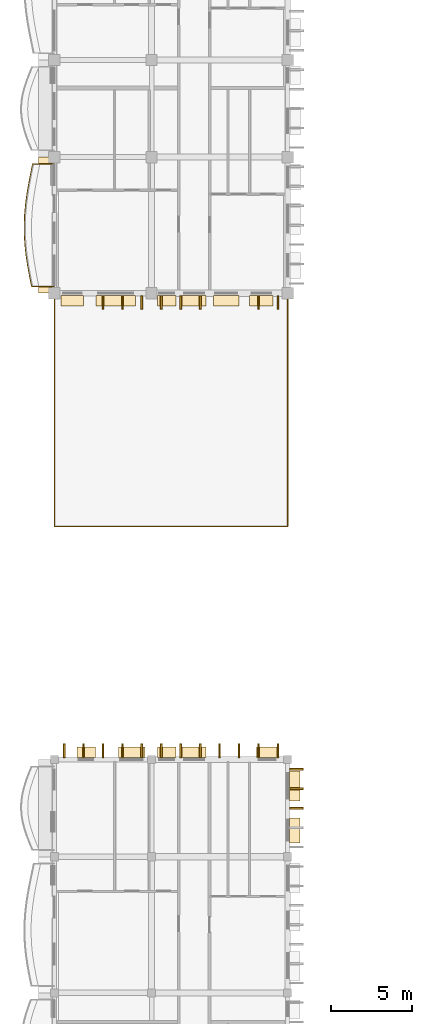
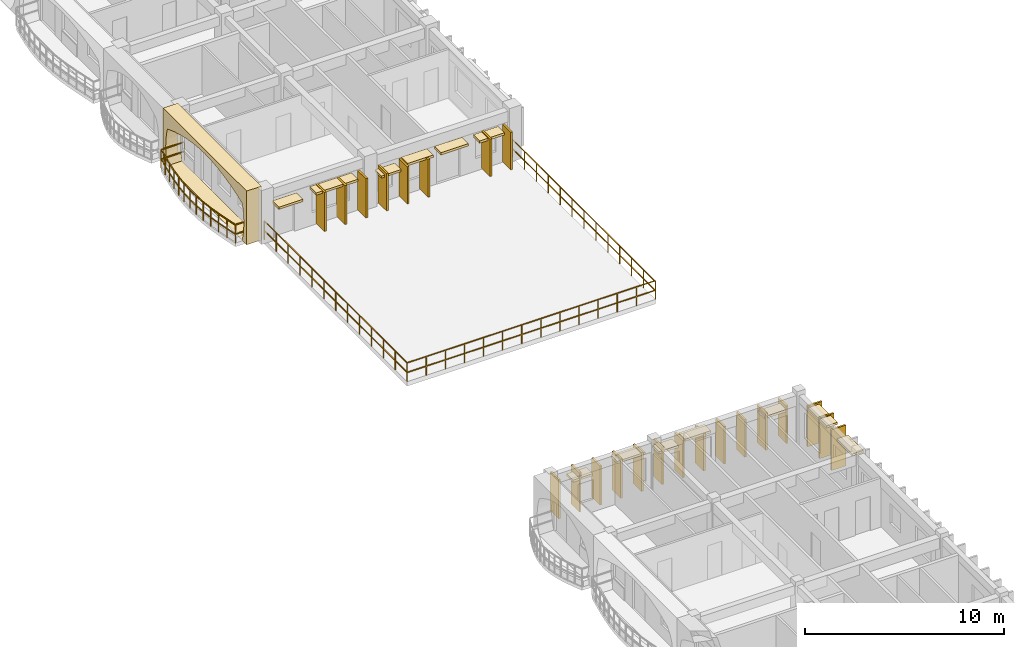
# One storey, part 46 of 66: 37 coverings, 4 railings.
"""IFC4 building model written with IfcOpenShell, lengths in metres."""

from ifc_helpers import new_model, si_unit, direction, frame, origin, origin_2d, place, context, subcontext, project, spatial, polyline, rectangle, outline, extrude, material, layer, layer_set, type_object, element, save


model = new_model("IFC4")

# Units and contexts
model_context = context("Model", 3, precision=1e-05, world=origin(), true_north=direction((0.0, 1.0)))
body_context = subcontext(model_context, "Body", "Model", "MODEL_VIEW")
ifc_project = project(units=[si_unit("LENGTHUNIT", "METRE"), si_unit("AREAUNIT", "SQUARE_METRE"), si_unit("VOLUMEUNIT", "CUBIC_METRE"), si_unit("PLANEANGLEUNIT", "RADIAN"), si_unit("MASSUNIT", "GRAM", prefix="KILO"), si_unit("THERMODYNAMICTEMPERATUREUNIT", "KELVIN")], contexts=[model_context])

# Site, building, storey
site_placement = place(None, origin())
site = spatial("IfcSite", under=ifc_project, at=site_placement, CompositionType="ELEMENT")
building_placement = place(site_placement, origin())
building = spatial("IfcBuilding", under=site, at=building_placement, Name="Thalorik Housing Commons", CompositionType="ELEMENT")
storey_placement = place(building_placement, frame((0.0, 0.0, 21.300048828125)))
storey = spatial("IfcBuildingStorey", under=building, at=storey_placement, Name="L06", CompositionType="ELEMENT", Elevation=21.300048828125)

# Coverings
ifc_material_1 = material(Name="Precast concrete C40/50", Category="concrete")
ifc_layer_1 = layer(ifc_material_1, 0.85009765625, Name="Precast concrete C40/50", Category="concrete")
ifc_layer_set_1 = layer_set([ifc_layer_1], Name="Precast concrete C40/50")
covering_type_1 = type_object("IfcCoveringType", Name="ARC-CLD-CUSH-850", PredefinedType="CLADDING", material=ifc_layer_set_1)
covering_1_placement = place(storey_placement, frame((7.830078125, 90.60009765625, 0.0), z_axis=(0.0, 0.0, 1.0), x_axis=(0.0, -1.0, 0.0)))
element("IfcCovering", 1, at=covering_1_placement, inside=storey, type_object=covering_type_1, Name="L06 White Precast Curved Cushion Bay Frame 685", PredefinedType="CLADDING", context=body_context, shape_type="SweptSolid", body=[
    extrude(outline(polyline([(-4.199951171875, 0.0), (4.199951171875, 0.0), (4.199951171875, 3.300048828125), (-4.199951171875, 3.300048828125), (-4.199951171875, 0.0)]), holes=[polyline([(3.748779296875, 0.02490234375), (3.843994140625, 0.40087890625), (3.901123046875, 0.776611328125), (3.920166015625, 1.152587890625), (3.901123046875, 1.5283203125), (3.843994140625, 1.904296875), (3.748779296875, 2.280029296875), (3.122802734375, 2.51123046875), (2.496826171875, 2.693115234375), (1.870849609375, 2.840087890625), (1.2451171875, 2.94970703125), (0.618896484375, 3.01708984375), (-0.0068359375, 3.0400390625), (-0.6328125, 3.01708984375), (-1.2587890625, 2.94970703125), (-1.884765625, 2.840087890625), (-2.510498046875, 2.693115234375), (-3.13671875, 2.51123046875), (-3.762451171875, 2.280029296875), (-3.85498046875, 1.904296875), (-3.910400390625, 1.5283203125), (-3.9287109375, 1.152587890625), (-3.910400390625, 0.776611328125), (-3.85498046875, 0.40087890625), (-3.762451171875, 0.02490234375), (3.748779296875, 0.02490234375)])]), frame((0.0, 0.425048828125, 0.0), z_axis=(0.0, -1.0, 0.0), x_axis=(1.0, 0.0, 0.0)), (0.0, 0.0, 1.0), 0.85009765625),
])
ifc_layer_2 = layer(ifc_material_1, 0.85009765625, Name="Precast concrete C40/50", Category="concrete")
ifc_layer_set_2 = layer_set([ifc_layer_2], Name="Precast concrete C40/50")
covering_type_2 = type_object("IfcCoveringType", Name="ARC-CLD-FIN-850", PredefinedType="CLADDING", material=ifc_layer_set_2)
for number, where, z_axis, x_axis, name in (
    (2, (11.39990234375, 85.830078125, 0.0400390625), (0.0, 0.0, 1.0), (1.0, 0.0, 0.0), "L06 Courtyard Precast Vertical Brise-Soleil Fin 687"),
    (3, (12.60009765625, 85.830078125, 0.0400390625), (0.0, 0.0, 1.0), (1.0, 0.0, 0.0), "L06 Courtyard Precast Vertical Brise-Soleil Fin 688"),
    (4, (13.800048828125, 85.830078125, 0.0400390625), (0.0, 0.0, 1.0), (1.0, 0.0, 0.0), "L06 Courtyard Precast Vertical Brise-Soleil Fin 689"),
):
    element("IfcCovering", number, at=place(storey_placement, frame(where, z_axis=z_axis, x_axis=x_axis)), inside=storey, type_object=covering_type_2, Name=name, PredefinedType="CLADDING", context=body_context, shape_type="SweptSolid", body=[
        extrude(rectangle(XDim=0.110107421875, YDim=0.85009765625, at=origin_2d()), origin(), (0.0, 0.0, 1.0), 2.39501953125),
    ])
for number, where, z_axis, x_axis, name in (
    (5, (15.0, 85.830078125, 0.0400390625), (0.0, 0.0, 1.0), (1.0, 0.0, 0.0), "L06 Courtyard Precast Vertical Brise-Soleil Fin 692"),
    (6, (16.199951171875, 85.830078125, 0.0400390625), (0.0, 0.0, 1.0), (1.0, 0.0, 0.0), "L06 Courtyard Precast Vertical Brise-Soleil Fin 693"),
    (7, (17.39990234375, 85.830078125, 0.0400390625), (0.0, 0.0, 1.0), (1.0, 0.0, 0.0), "L06 Courtyard Precast Vertical Brise-Soleil Fin 694"),
    (8, (21.0, 85.830078125, 0.0400390625), (0.0, 0.0, 1.0), (1.0, 0.0, 0.0), "L06 Courtyard Precast Vertical Brise-Soleil Fin 695"),
    (9, (22.199951171875, 85.830078125, 0.0400390625), (0.0, 0.0, 1.0), (1.0, 0.0, 0.0), "L06 Courtyard Precast Vertical Brise-Soleil Fin 696"),
):
    element("IfcCovering", number, at=place(storey_placement, frame(where, z_axis=z_axis, x_axis=x_axis)), inside=storey, type_object=covering_type_2, Name=name, PredefinedType="CLADDING", context=body_context, shape_type="SweptSolid", body=[
        extrude(rectangle(XDim=0.110107421875, YDim=0.85009765625, at=origin_2d()), origin(), (0.0, 0.0, 1.0), 2.294921875),
    ])
for number, where, z_axis, x_axis, name in (
    (10, (23.35498046875, 54.60009765625, 0.039794921875), (0.0, 0.0, 1.0), (0.0, 1.0, 0.0), "L06 Courtyard Precast Vertical Brise-Soleil Fin 4053"),
    (11, (23.35498046875, 55.800048828125, 0.039794921875), (0.0, 0.0, 1.0), (0.0, 1.0, 0.0), "L06 Courtyard Precast Vertical Brise-Soleil Fin 4054"),
    (12, (23.35498046875, 57.0, 0.039794921875), (0.0, 0.0, 1.0), (0.0, 1.0, 0.0), "L06 Courtyard Precast Vertical Brise-Soleil Fin 4055"),
):
    element("IfcCovering", number, at=place(storey_placement, frame(where, z_axis=z_axis, x_axis=x_axis)), inside=storey, type_object=covering_type_2, Name=name, PredefinedType="CLADDING", context=body_context, shape_type="SweptSolid", body=[
        extrude(rectangle(XDim=0.110107421875, YDim=0.85009765625, at=origin_2d()), origin(), (0.0, 0.0, 1.0), 2.4951171875),
    ])
for number, where, z_axis, x_axis, name in (
    (13, (22.199951171875, 58.155029296875, 0.0400390625), (0.0, 0.0, 1.0), (-1.0, 0.0, 0.0), "L06 Courtyard Precast Vertical Brise-Soleil Fin 4058"),
    (14, (21.0, 58.155029296875, 0.0400390625), (0.0, 0.0, 1.0), (-1.0, 0.0, 0.0), "L06 Courtyard Precast Vertical Brise-Soleil Fin 4059"),
    (15, (19.800048828125, 58.155029296875, 0.0400390625), (0.0, 0.0, 1.0), (-1.0, 0.0, 0.0), "L06 Courtyard Precast Vertical Brise-Soleil Fin 4060"),
    (16, (18.60009765625, 58.155029296875, 0.0400390625), (0.0, 0.0, 1.0), (-1.0, 0.0, 0.0), "L06 Courtyard Precast Vertical Brise-Soleil Fin 4061"),
    (17, (17.39990234375, 58.155029296875, 0.0400390625), (0.0, 0.0, 1.0), (-1.0, 0.0, 0.0), "L06 Courtyard Precast Vertical Brise-Soleil Fin 4062"),
    (18, (16.199951171875, 58.155029296875, 0.0400390625), (0.0, 0.0, 1.0), (-1.0, 0.0, 0.0), "L06 Courtyard Precast Vertical Brise-Soleil Fin 4063"),
    (19, (15.0, 58.155029296875, 0.0400390625), (0.0, 0.0, 1.0), (-1.0, 0.0, 0.0), "L06 Courtyard Precast Vertical Brise-Soleil Fin 4064"),
):
    element("IfcCovering", number, at=place(storey_placement, frame(where, z_axis=z_axis, x_axis=x_axis)), inside=storey, type_object=covering_type_2, Name=name, PredefinedType="CLADDING", context=body_context, shape_type="SweptSolid", body=[
        extrude(rectangle(XDim=0.110107421875, YDim=0.85009765625, at=origin_2d()), origin(), (0.0, 0.0, 1.0), 2.294921875),
    ])
for number, where, z_axis, x_axis, name in (
    (20, (13.800048828125, 58.155029296875, 0.0400390625), (0.0, 0.0, 1.0), (-1.0, 0.0, 0.0), "L06 Courtyard Precast Vertical Brise-Soleil Fin 4068"),
    (21, (12.60009765625, 58.155029296875, 0.0400390625), (0.0, 0.0, 1.0), (-1.0, 0.0, 0.0), "L06 Courtyard Precast Vertical Brise-Soleil Fin 4069"),
    (22, (11.39990234375, 58.155029296875, 0.0400390625), (0.0, 0.0, 1.0), (-1.0, 0.0, 0.0), "L06 Courtyard Precast Vertical Brise-Soleil Fin 4070"),
    (23, (10.199951171875, 58.155029296875, 0.0400390625), (0.0, 0.0, 1.0), (-1.0, 0.0, 0.0), "L06 Courtyard Precast Vertical Brise-Soleil Fin 4071"),
    (24, (9.0, 58.155029296875, 0.0400390625), (0.0, 0.0, 1.0), (-1.0, 0.0, 0.0), "L06 Courtyard Precast Vertical Brise-Soleil Fin 4072"),
):
    element("IfcCovering", number, at=place(storey_placement, frame(where, z_axis=z_axis, x_axis=x_axis)), inside=storey, type_object=covering_type_2, Name=name, PredefinedType="CLADDING", context=body_context, shape_type="SweptSolid", body=[
        extrude(rectangle(XDim=0.110107421875, YDim=0.85009765625, at=origin_2d()), origin(), (0.0, 0.0, 1.0), 2.39501953125),
    ])
ifc_layer_3 = layer(ifc_material_1, 0.64990234375, Name="Precast concrete C40/50", Category="concrete")
ifc_layer_set_3 = layer_set([ifc_layer_3], Name="Precast concrete C40/50")
covering_type_3 = type_object("IfcCoveringType", Name="ARC-CLD-HOOD-650", PredefinedType="CLADDING", material=ifc_layer_set_3)
covering_2_placement = place(storey_placement, frame((9.514892578125, 85.929931640625, 2.16015625), z_axis=(0.0, 0.0, 1.0), x_axis=(1.0, 0.0, 0.0)))
element("IfcCovering", 25, at=covering_2_placement, inside=storey, type_object=covering_type_3, Name="L06 Courtyard Precast Window Sun-Hood 690", PredefinedType="CLADDING", context=body_context, shape_type="SweptSolid", body=[
    extrude(rectangle(XDim=1.389892578125, YDim=0.64990234375, at=origin_2d()), origin(), (0.0, 0.0, 1.0), 0.139892578125),
])
covering_3_placement = place(storey_placement, frame((12.18505859375, 85.929931640625, 2.27001953125), z_axis=(0.0, 0.0, 1.0), x_axis=(1.0, 0.0, 0.0)))
element("IfcCovering", 26, at=covering_3_placement, inside=storey, type_object=covering_type_3, Name="L06 Courtyard Precast Window Sun-Hood 691", PredefinedType="CLADDING", context=body_context, shape_type="SweptSolid", body=[
    extrude(rectangle(XDim=2.419921875, YDim=0.64990234375, at=origin_2d()), origin(), (0.0, 0.0, 1.0), 0.139892578125),
])
covering_4_placement = place(storey_placement, frame((19.0048828125, 85.929931640625, 2.2099609375), z_axis=(0.0, 0.0, 1.0), x_axis=(1.0, 0.0, 0.0)))
element("IfcCovering", 27, at=covering_4_placement, inside=storey, type_object=covering_type_3, Name="L06 Courtyard Precast Window Sun-Hood 697", PredefinedType="CLADDING", context=body_context, shape_type="SweptSolid", body=[
    extrude(rectangle(XDim=1.590087890625, YDim=0.64990234375, at=origin_2d()), origin(), (0.0, 0.0, 1.0), 0.139892578125),
])
covering_5_placement = place(storey_placement, frame((21.179931640625, 85.929931640625, 2.14013671875), z_axis=(0.0, 0.0, 1.0), x_axis=(1.0, 0.0, 0.0)))
element("IfcCovering", 28, at=covering_5_placement, inside=storey, type_object=covering_type_3, Name="L06 Courtyard Precast Window Sun-Hood 698", PredefinedType="CLADDING", context=body_context, shape_type="SweptSolid", body=[
    extrude(rectangle(XDim=1.43994140625, YDim=0.64990234375, at=origin_2d()), origin(), (0.0, 0.0, 1.0), 0.139892578125),
])
covering_6_placement = place(storey_placement, frame((15.3349609375, 85.929931640625, 1.990234375), z_axis=(0.0, 0.0, 1.0), x_axis=(1.0, 0.0, 0.0)))
element("IfcCovering", 29, at=covering_6_placement, inside=storey, type_object=covering_type_3, Name="L06 Courtyard Precast Window Sun-Hood 699", PredefinedType="CLADDING", context=body_context, shape_type="SweptSolid", body=[
    extrude(rectangle(XDim=1.139892578125, YDim=0.64990234375, at=origin_2d()), origin(), (0.0, 0.0, 1.0), 0.139892578125),
])
covering_7_placement = place(storey_placement, frame((17.030029296875, 85.929931640625, 2.22509765625), z_axis=(0.0, 0.0, 1.0), x_axis=(1.0, 0.0, 0.0)))
element("IfcCovering", 30, at=covering_7_placement, inside=storey, type_object=covering_type_3, Name="L06 Courtyard Precast Window Sun-Hood 700", PredefinedType="CLADDING", context=body_context, shape_type="SweptSolid", body=[
    extrude(rectangle(XDim=1.489990234375, YDim=0.64990234375, at=origin_2d()), origin(), (0.0, 0.0, 1.0), 0.139892578125),
])
covering_8_placement = place(storey_placement, frame((23.2548828125, 53.22998046875, 2.18994140625), z_axis=(0.0, 0.0, 1.0), x_axis=(0.0, 1.0, 0.0)))
element("IfcCovering", 31, at=covering_8_placement, inside=storey, type_object=covering_type_3, Name="L06 Courtyard Precast Window Sun-Hood 4056", PredefinedType="CLADDING", context=body_context, shape_type="SweptSolid", body=[
    extrude(rectangle(XDim=1.5400390625, YDim=0.64990234375, at=origin_2d()), origin(), (0.0, 0.0, 1.0), 0.139892578125),
])
covering_9_placement = place(storey_placement, frame((23.2548828125, 55.969970703125, 2.33984375), z_axis=(0.0, 0.0, 1.0), x_axis=(0.0, 1.0, 0.0)))
element("IfcCovering", 32, at=covering_9_placement, inside=storey, type_object=covering_type_3, Name="L06 Courtyard Precast Window Sun-Hood 4057", PredefinedType="CLADDING", context=body_context, shape_type="SweptSolid", body=[
    extrude(rectangle(XDim=1.840087890625, YDim=0.64990234375, at=origin_2d()), origin(), (0.0, 0.0, 1.0), 0.139892578125),
])
covering_10_placement = place(storey_placement, frame((21.53271484375, 58.054931640625, 1.990234375), z_axis=(0.0, 0.0, 1.0), x_axis=(-1.0, 0.0, 0.0)))
element("IfcCovering", 33, at=covering_10_placement, inside=storey, type_object=covering_type_3, Name="L06 Courtyard Precast Window Sun-Hood 4065", PredefinedType="CLADDING", context=body_context, shape_type="SweptSolid", body=[
    extrude(rectangle(XDim=1.2900390625, YDim=0.64990234375, at=origin_2d()), origin(), (0.0, 0.0, 1.0), 0.139892578125),
])
covering_11_placement = place(storey_placement, frame((17.030029296875, 58.054931640625, 2.22509765625), z_axis=(0.0, 0.0, 1.0), x_axis=(-1.0, 0.0, 0.0)))
element("IfcCovering", 34, at=covering_11_placement, inside=storey, type_object=covering_type_3, Name="L06 Courtyard Precast Window Sun-Hood 4066", PredefinedType="CLADDING", context=body_context, shape_type="SweptSolid", body=[
    extrude(rectangle(XDim=1.489990234375, YDim=0.64990234375, at=origin_2d()), origin(), (0.0, 0.0, 1.0), 0.139892578125),
])
covering_12_placement = place(storey_placement, frame((15.3349609375, 58.054931640625, 1.990234375), z_axis=(0.0, 0.0, 1.0), x_axis=(-1.0, 0.0, 0.0)))
element("IfcCovering", 35, at=covering_12_placement, inside=storey, type_object=covering_type_3, Name="L06 Courtyard Precast Window Sun-Hood 4067", PredefinedType="CLADDING", context=body_context, shape_type="SweptSolid", body=[
    extrude(rectangle(XDim=1.139892578125, YDim=0.64990234375, at=origin_2d()), origin(), (0.0, 0.0, 1.0), 0.139892578125),
])
covering_13_placement = place(storey_placement, frame((13.163818359375, 58.054931640625, 2.240234375), z_axis=(0.0, 0.0, 1.0), x_axis=(-1.0, 0.0, 0.0)))
element("IfcCovering", 36, at=covering_13_placement, inside=storey, type_object=covering_type_3, Name="L06 Courtyard Precast Window Sun-Hood 4073", PredefinedType="CLADDING", context=body_context, shape_type="SweptSolid", body=[
    extrude(rectangle(XDim=1.639892578125, YDim=0.64990234375, at=origin_2d()), origin(), (0.0, 0.0, 1.0), 0.139892578125),
])
covering_14_placement = place(storey_placement, frame((10.353759765625, 58.054931640625, 1.990234375), z_axis=(0.0, 0.0, 1.0), x_axis=(-1.0, 0.0, 0.0)))
element("IfcCovering", 37, at=covering_14_placement, inside=storey, type_object=covering_type_3, Name="L06 Courtyard Precast Window Sun-Hood 4074", PredefinedType="CLADDING", context=body_context, shape_type="SweptSolid", body=[
    extrude(rectangle(XDim=1.139892578125, YDim=0.64990234375, at=origin_2d()), origin(), (0.0, 0.0, 1.0), 0.139892578125),
])

# Railings
ifc_material_2 = material(Name="Steel S355", Category="steel")
railing_type_1 = type_object("IfcRailingType", Name="ARC-RL-BAL-115", PredefinedType="BALUSTRADE", material=ifc_material_2)
railing_1_placement = place(storey_placement, frame((8.39990234375, 94.3798828125, 0.0)))
element("IfcRailing", 38, at=railing_1_placement, inside=storey, type_object=railing_type_1, Name="L06 Cushion Balcony Guardrail 45", PredefinedType="BALUSTRADE", context=body_context, shape_type="SweptSolid", body=[
    extrude(rectangle(XDim=0.050048828125, YDim=0.050048828125, at=origin_2d()), frame((0.0, 0.0, 1.125), z_axis=(-1.0, 0.0, 0.0), x_axis=(0.0, -1.0, 0.0)), (0.0, 0.0, 1.0), 1.34716796875),
    extrude(rectangle(XDim=0.050048828125, YDim=0.050048828125, at=origin_2d()), frame((0.0, 0.0, 0.5498046875), z_axis=(-1.0, 0.0, 0.0), x_axis=(0.0, -1.0, 0.0)), (0.0, 0.0, 1.0), 1.34716796875),
    extrude(rectangle(XDim=0.050048828125, YDim=0.050048828125, at=origin_2d()), frame((-1.34716796875, 0.0, 1.125), z_axis=(-0.198307371289, -0.980139881085, 0.0), x_axis=(0.980139881085, -0.198307371289, 0.0)), (0.0, 0.0, 1.0), 0.642578125),
    extrude(rectangle(XDim=0.050048828125, YDim=0.050048828125, at=origin_2d()), frame((-1.34716796875, 0.0, 0.5498046875), z_axis=(-0.198307371289, -0.980139881085, 0.0), x_axis=(0.980139881085, -0.198307371289, 0.0)), (0.0, 0.0, 1.0), 0.642578125),
    extrude(rectangle(XDim=0.050048828125, YDim=0.050048828125, at=origin_2d()), frame((-1.474609375, -0.6298828125, 1.125), z_axis=(-0.188056644538, -0.982158184024, 0.0), x_axis=(0.982158184024, -0.188056644538, 0.0)), (0.0, 0.0, 1.0), 0.641357421875),
    extrude(rectangle(XDim=0.050048828125, YDim=0.050048828125, at=origin_2d()), frame((-1.474609375, -0.6298828125, 0.5498046875), z_axis=(-0.188056644538, -0.982158184024, 0.0), x_axis=(0.982158184024, -0.188056644538, 0.0)), (0.0, 0.0, 1.0), 0.641357421875),
    extrude(rectangle(XDim=0.050048828125, YDim=0.050048828125, at=origin_2d()), frame((-1.59521484375, -1.259765625, 1.125), z_axis=(-0.165452269224, -0.986217798769, 0.0), x_axis=(0.986217798769, -0.165452269224, 0.0)), (0.0, 0.0, 1.0), 0.638916015625),
    extrude(rectangle(XDim=0.050048828125, YDim=0.050048828125, at=origin_2d()), frame((-1.59521484375, -1.259765625, 0.5498046875), z_axis=(-0.165452269224, -0.986217798769, 0.0), x_axis=(0.986217798769, -0.165452269224, 0.0)), (0.0, 0.0, 1.0), 0.638916015625),
    extrude(rectangle(XDim=0.050048828125, YDim=0.050048828125, at=origin_2d()), frame((-1.700927734375, -1.889892578125, 1.125), z_axis=(-0.132163720091, -0.991227900683, 0.0), x_axis=(0.991227900683, -0.132163720091, 0.0)), (0.0, 0.0, 1.0), 0.635498046875),
    extrude(rectangle(XDim=0.050048828125, YDim=0.050048828125, at=origin_2d()), frame((-1.700927734375, -1.889892578125, 0.5498046875), z_axis=(-0.132163720091, -0.991227900683, 0.0), x_axis=(0.991227900683, -0.132163720091, 0.0)), (0.0, 0.0, 1.0), 0.635498046875),
    extrude(rectangle(XDim=0.050048828125, YDim=0.050048828125, at=origin_2d()), frame((-1.784912109375, -2.519775390625, 1.125), z_axis=(-0.088761014667, -0.996052951542, 0.0), x_axis=(0.996052951542, -0.088761014667, 0.0)), (0.0, 0.0, 1.0), 0.632568359375),
    extrude(rectangle(XDim=0.050048828125, YDim=0.050048828125, at=origin_2d()), frame((-1.784912109375, -2.519775390625, 0.5498046875), z_axis=(-0.088761014667, -0.996052951542, 0.0), x_axis=(0.996052951542, -0.088761014667, 0.0)), (0.0, 0.0, 1.0), 0.632568359375),
    extrude(rectangle(XDim=0.050048828125, YDim=0.050048828125, at=origin_2d()), frame((-1.841064453125, -3.14990234375, 1.125), z_axis=(-0.039504023242, -0.999219411415, 0.0), x_axis=(0.999219411415, -0.039504023242, 0.0)), (0.0, 0.0, 1.0), 0.63037109375),
    extrude(rectangle(XDim=0.050048828125, YDim=0.050048828125, at=origin_2d()), frame((-1.841064453125, -3.14990234375, 0.5498046875), z_axis=(-0.039504023242, -0.999219411415, 0.0), x_axis=(0.999219411415, -0.039504023242, 0.0)), (0.0, 0.0, 1.0), 0.63037109375),
    extrude(rectangle(XDim=0.050048828125, YDim=0.050048828125, at=origin_2d()), frame((-1.865966796875, -3.77978515625, 1.125), z_axis=(0.012784697013, -0.999918272421, 0.0), x_axis=(0.999918272421, 0.012784697013, 0.0)), (0.0, 0.0, 1.0), 0.630126953125),
    extrude(rectangle(XDim=0.050048828125, YDim=0.050048828125, at=origin_2d()), frame((-1.865966796875, -3.77978515625, 0.5498046875), z_axis=(0.012784697013, -0.999918272421, 0.0), x_axis=(0.999918272421, 0.012784697013, 0.0)), (0.0, 0.0, 1.0), 0.630126953125),
    extrude(rectangle(XDim=0.050048828125, YDim=0.050048828125, at=origin_2d()), frame((-1.85791015625, -4.409912109375, 1.125), z_axis=(0.064978665801, -0.997886653378, 0.0), x_axis=(0.997886653378, 0.064978665801, 0.0)), (0.0, 0.0, 1.0), 0.631103515625),
    extrude(rectangle(XDim=0.050048828125, YDim=0.050048828125, at=origin_2d()), frame((-1.85791015625, -4.409912109375, 0.5498046875), z_axis=(0.064978665801, -0.997886653378, 0.0), x_axis=(0.997886653378, 0.064978665801, 0.0)), (0.0, 0.0, 1.0), 0.631103515625),
    extrude(rectangle(XDim=0.050048828125, YDim=0.050048828125, at=origin_2d()), frame((-1.81689453125, -5.039794921875, 1.125), z_axis=(0.111656945182, -0.993746812117, 0.0), x_axis=(0.993746812117, 0.111656945182, 0.0)), (0.0, 0.0, 1.0), 0.634033203125),
    extrude(rectangle(XDim=0.050048828125, YDim=0.050048828125, at=origin_2d()), frame((-1.81689453125, -5.039794921875, 0.5498046875), z_axis=(0.111656945182, -0.993746812117, 0.0), x_axis=(0.993746812117, 0.111656945182, 0.0)), (0.0, 0.0, 1.0), 0.634033203125),
    extrude(rectangle(XDim=0.050048828125, YDim=0.050048828125, at=origin_2d()), frame((-1.74609375, -5.669921875, 1.125), z_axis=(0.150588540605, -0.988596526111, 0.0), x_axis=(0.988596526111, 0.150588540605, 0.0)), (0.0, 0.0, 1.0), 0.63720703125),
    extrude(rectangle(XDim=0.050048828125, YDim=0.050048828125, at=origin_2d()), frame((-1.74609375, -5.669921875, 0.5498046875), z_axis=(0.150588540605, -0.988596526111, 0.0), x_axis=(0.988596526111, 0.150588540605, 0.0)), (0.0, 0.0, 1.0), 0.63720703125),
    extrude(rectangle(XDim=0.050048828125, YDim=0.050048828125, at=origin_2d()), frame((-1.650146484375, -6.2998046875, 1.125), z_axis=(0.179522687155, -0.983753833434, 0.0), x_axis=(0.983753833434, 0.179522687155, 0.0)), (0.0, 0.0, 1.0), 0.640625),
    extrude(rectangle(XDim=0.050048828125, YDim=0.050048828125, at=origin_2d()), frame((-1.650146484375, -6.2998046875, 0.5498046875), z_axis=(0.179522687155, -0.983753833434, 0.0), x_axis=(0.983753833434, 0.179522687155, 0.0)), (0.0, 0.0, 1.0), 0.640625),
    extrude(rectangle(XDim=0.050048828125, YDim=0.050048828125, at=origin_2d()), frame((-1.53515625, -6.929931640625, 1.125), z_axis=(0.19684687543, -0.980434244421, 0.0), x_axis=(0.980434244421, 0.19684687543, 0.0)), (0.0, 0.0, 1.0), 0.642333984375),
    extrude(rectangle(XDim=0.050048828125, YDim=0.050048828125, at=origin_2d()), frame((-1.53515625, -6.929931640625, 0.5498046875), z_axis=(0.19684687543, -0.980434244421, 0.0), x_axis=(0.980434244421, 0.19684687543, 0.0)), (0.0, 0.0, 1.0), 0.642333984375),
    extrude(rectangle(XDim=0.050048828125, YDim=0.050048828125, at=origin_2d()), frame((-1.40869140625, -7.559814453125, 1.125), z_axis=(1.0, 0.0, 0.0), x_axis=(0.0, 1.0, 0.0)), (0.0, 0.0, 1.0), 1.40869140625),
    extrude(rectangle(XDim=0.050048828125, YDim=0.050048828125, at=origin_2d()), frame((-1.40869140625, -7.559814453125, 0.5498046875), z_axis=(1.0, 0.0, 0.0), x_axis=(0.0, 1.0, 0.0)), (0.0, 0.0, 1.0), 1.40869140625),
    extrude(rectangle(XDim=0.0419921875, YDim=0.0419921875, at=origin_2d()), origin(), (0.0, 0.0, 1.0), 1.099853515625),
    extrude(rectangle(XDim=0.0419921875, YDim=0.0419921875, at=origin_2d()), frame((-1.34716796875, 0.0, 0.0)), (0.0, 0.0, 1.0), 1.099853515625),
    extrude(rectangle(XDim=0.0419921875, YDim=0.0419921875, at=origin_2d()), frame((-1.474609375, -0.6298828125, 0.0)), (0.0, 0.0, 1.0), 1.099853515625),
    extrude(rectangle(XDim=0.0419921875, YDim=0.0419921875, at=origin_2d()), frame((-1.59521484375, -1.259765625, 0.0)), (0.0, 0.0, 1.0), 1.099853515625),
    extrude(rectangle(XDim=0.0419921875, YDim=0.0419921875, at=origin_2d()), frame((-1.700927734375, -1.889892578125, 0.0)), (0.0, 0.0, 1.0), 1.099853515625),
    extrude(rectangle(XDim=0.0419921875, YDim=0.0419921875, at=origin_2d()), frame((-1.784912109375, -2.519775390625, 0.0)), (0.0, 0.0, 1.0), 1.099853515625),
    extrude(rectangle(XDim=0.0419921875, YDim=0.0419921875, at=origin_2d()), frame((-1.841064453125, -3.14990234375, 0.0)), (0.0, 0.0, 1.0), 1.099853515625),
    extrude(rectangle(XDim=0.0419921875, YDim=0.0419921875, at=origin_2d()), frame((-1.865966796875, -3.77978515625, 0.0)), (0.0, 0.0, 1.0), 1.099853515625),
    extrude(rectangle(XDim=0.0419921875, YDim=0.0419921875, at=origin_2d()), frame((-1.85791015625, -4.409912109375, 0.0)), (0.0, 0.0, 1.0), 1.099853515625),
    extrude(rectangle(XDim=0.0419921875, YDim=0.0419921875, at=origin_2d()), frame((-1.81689453125, -5.039794921875, 0.0)), (0.0, 0.0, 1.0), 1.099853515625),
    extrude(rectangle(XDim=0.0419921875, YDim=0.0419921875, at=origin_2d()), frame((-1.74609375, -5.669921875, 0.0)), (0.0, 0.0, 1.0), 1.099853515625),
    extrude(rectangle(XDim=0.0419921875, YDim=0.0419921875, at=origin_2d()), frame((-1.650146484375, -6.2998046875, 0.0)), (0.0, 0.0, 1.0), 1.099853515625),
    extrude(rectangle(XDim=0.0419921875, YDim=0.0419921875, at=origin_2d()), frame((-1.53515625, -6.929931640625, 0.0)), (0.0, 0.0, 1.0), 1.099853515625),
    extrude(rectangle(XDim=0.0419921875, YDim=0.0419921875, at=origin_2d()), frame((-1.40869140625, -7.559814453125, 0.0)), (0.0, 0.0, 1.0), 1.099853515625),
    extrude(rectangle(XDim=0.0419921875, YDim=0.0419921875, at=origin_2d()), frame((0.0, -7.559814453125, 0.0)), (0.0, 0.0, 1.0), 1.099853515625),
])
railing_type_2 = type_object("IfcRailingType", Name="ARC-RL-TER-112", PredefinedType="GUARDRAIL", material=ifc_material_2)
railing_2_placement = place(storey_placement, frame((22.800048828125, 72.0, 0.0)))
element("IfcRailing", 39, at=railing_2_placement, inside=storey, type_object=railing_type_2, Name="L06 L06 South Sky-Garden Terrace Edge Guardrail", PredefinedType="GUARDRAIL", context=body_context, shape_type="SweptSolid", body=[
    extrude(rectangle(XDim=0.048095703125, YDim=0.048095703125, at=origin_2d()), frame((0.0, 0.0, 1.09619140625), z_axis=(0.0, 1.0, 0.0), x_axis=(-1.0, 0.0, 0.0)), (0.0, 0.0, 1.0), 14.35009765625),
    extrude(rectangle(XDim=0.048095703125, YDim=0.048095703125, at=origin_2d()), frame((0.0, 0.0, 0.5361328125), z_axis=(0.0, 1.0, 0.0), x_axis=(-1.0, 0.0, 0.0)), (0.0, 0.0, 1.0), 14.35009765625),
    extrude(rectangle(XDim=0.0419921875, YDim=0.0419921875, at=origin_2d()), origin(), (0.0, 0.0, 1.0), 1.072021484375),
    extrude(rectangle(XDim=0.0419921875, YDim=0.0419921875, at=origin_2d()), frame((0.0, 1.19580078125, 0.0)), (0.0, 0.0, 1.0), 1.072021484375),
    extrude(rectangle(XDim=0.0419921875, YDim=0.0419921875, at=origin_2d()), frame((0.0, 2.3916015625, 0.0)), (0.0, 0.0, 1.0), 1.072021484375),
    extrude(rectangle(XDim=0.0419921875, YDim=0.0419921875, at=origin_2d()), frame((0.0, 3.58740234375, 0.0)), (0.0, 0.0, 1.0), 1.072021484375),
    extrude(rectangle(XDim=0.0419921875, YDim=0.0419921875, at=origin_2d()), frame((0.0, 4.783447265625, 0.0)), (0.0, 0.0, 1.0), 1.072021484375),
    extrude(rectangle(XDim=0.0419921875, YDim=0.0419921875, at=origin_2d()), frame((0.0, 5.979248046875, 0.0)), (0.0, 0.0, 1.0), 1.072021484375),
    extrude(rectangle(XDim=0.0419921875, YDim=0.0419921875, at=origin_2d()), frame((0.0, 7.175048828125, 0.0)), (0.0, 0.0, 1.0), 1.072021484375),
    extrude(rectangle(XDim=0.0419921875, YDim=0.0419921875, at=origin_2d()), frame((0.0, 8.370849609375, 0.0)), (0.0, 0.0, 1.0), 1.072021484375),
    extrude(rectangle(XDim=0.0419921875, YDim=0.0419921875, at=origin_2d()), frame((0.0, 9.566650390625, 0.0)), (0.0, 0.0, 1.0), 1.072021484375),
    extrude(rectangle(XDim=0.0419921875, YDim=0.0419921875, at=origin_2d()), frame((0.0, 10.7626953125, 0.0)), (0.0, 0.0, 1.0), 1.072021484375),
    extrude(rectangle(XDim=0.0419921875, YDim=0.0419921875, at=origin_2d()), frame((0.0, 11.95849609375, 0.0)), (0.0, 0.0, 1.0), 1.072021484375),
    extrude(rectangle(XDim=0.0419921875, YDim=0.0419921875, at=origin_2d()), frame((0.0, 13.154296875, 0.0)), (0.0, 0.0, 1.0), 1.072021484375),
    extrude(rectangle(XDim=0.0419921875, YDim=0.0419921875, at=origin_2d()), frame((0.0, 14.35009765625, 0.0)), (0.0, 0.0, 1.0), 1.072021484375),
])
railing_type_3 = type_object("IfcRailingType", Name="ARC-RL-TER-118", PredefinedType="GUARDRAIL", material=ifc_material_2)
railing_3_placement = place(storey_placement, frame((8.39990234375, 72.0, 0.0)))
element("IfcRailing", 40, at=railing_3_placement, inside=storey, type_object=railing_type_3, Name="L06 L06 South Sky-Garden Terrace Edge Guardrail", PredefinedType="GUARDRAIL", context=body_context, shape_type="SweptSolid", body=[
    extrude(rectangle(XDim=0.048095703125, YDim=0.048095703125, at=origin_2d()), frame((0.0, 0.0, 1.15576171875), z_axis=(1.0, 0.0, 0.0), x_axis=(0.0, 1.0, 0.0)), (0.0, 0.0, 1.0), 14.400146484375),
    extrude(rectangle(XDim=0.048095703125, YDim=0.048095703125, at=origin_2d()), frame((0.0, 0.0, 0.56591796875), z_axis=(1.0, 0.0, 0.0), x_axis=(0.0, 1.0, 0.0)), (0.0, 0.0, 1.0), 14.400146484375),
    extrude(rectangle(XDim=0.0419921875, YDim=0.0419921875, at=origin_2d()), origin(), (0.0, 0.0, 1.0), 1.1318359375),
    extrude(rectangle(XDim=0.0419921875, YDim=0.0419921875, at=origin_2d()), frame((1.107666015625, 0.0, 0.0)), (0.0, 0.0, 1.0), 1.1318359375),
    extrude(rectangle(XDim=0.0419921875, YDim=0.0419921875, at=origin_2d()), frame((2.21533203125, 0.0, 0.0)), (0.0, 0.0, 1.0), 1.1318359375),
    extrude(rectangle(XDim=0.0419921875, YDim=0.0419921875, at=origin_2d()), frame((3.322998046875, 0.0, 0.0)), (0.0, 0.0, 1.0), 1.1318359375),
    extrude(rectangle(XDim=0.0419921875, YDim=0.0419921875, at=origin_2d()), frame((4.430908203125, 0.0, 0.0)), (0.0, 0.0, 1.0), 1.1318359375),
    extrude(rectangle(XDim=0.0419921875, YDim=0.0419921875, at=origin_2d()), frame((5.53857421875, 0.0, 0.0)), (0.0, 0.0, 1.0), 1.1318359375),
    extrude(rectangle(XDim=0.0419921875, YDim=0.0419921875, at=origin_2d()), frame((6.646240234375, 0.0, 0.0)), (0.0, 0.0, 1.0), 1.1318359375),
    extrude(rectangle(XDim=0.0419921875, YDim=0.0419921875, at=origin_2d()), frame((7.75390625, 0.0, 0.0)), (0.0, 0.0, 1.0), 1.1318359375),
    extrude(rectangle(XDim=0.0419921875, YDim=0.0419921875, at=origin_2d()), frame((8.861572265625, 0.0, 0.0)), (0.0, 0.0, 1.0), 1.1318359375),
    extrude(rectangle(XDim=0.0419921875, YDim=0.0419921875, at=origin_2d()), frame((9.96923828125, 0.0, 0.0)), (0.0, 0.0, 1.0), 1.1318359375),
    extrude(rectangle(XDim=0.0419921875, YDim=0.0419921875, at=origin_2d()), frame((11.0771484375, 0.0, 0.0)), (0.0, 0.0, 1.0), 1.1318359375),
    extrude(rectangle(XDim=0.0419921875, YDim=0.0419921875, at=origin_2d()), frame((12.184814453125, 0.0, 0.0)), (0.0, 0.0, 1.0), 1.1318359375),
    extrude(rectangle(XDim=0.0419921875, YDim=0.0419921875, at=origin_2d()), frame((13.29248046875, 0.0, 0.0)), (0.0, 0.0, 1.0), 1.1318359375),
    extrude(rectangle(XDim=0.0419921875, YDim=0.0419921875, at=origin_2d()), frame((14.400146484375, 0.0, 0.0)), (0.0, 0.0, 1.0), 1.1318359375),
])
railing_4_placement = place(storey_placement, frame((8.39990234375, 86.35009765625, 0.0)))
element("IfcRailing", 41, at=railing_4_placement, inside=storey, type_object=railing_type_3, Name="L06 L06 South Sky-Garden Terrace Edge Guardrail", PredefinedType="GUARDRAIL", context=body_context, shape_type="SweptSolid", body=[
    extrude(rectangle(XDim=0.048095703125, YDim=0.048095703125, at=origin_2d()), frame((0.0, 0.0, 1.15576171875), z_axis=(0.0, -1.0, 0.0), x_axis=(1.0, 0.0, 0.0)), (0.0, 0.0, 1.0), 14.35009765625),
    extrude(rectangle(XDim=0.048095703125, YDim=0.048095703125, at=origin_2d()), frame((0.0, 0.0, 0.56591796875), z_axis=(0.0, -1.0, 0.0), x_axis=(1.0, 0.0, 0.0)), (0.0, 0.0, 1.0), 14.35009765625),
    extrude(rectangle(XDim=0.0419921875, YDim=0.0419921875, at=origin_2d()), origin(), (0.0, 0.0, 1.0), 1.1318359375),
    extrude(rectangle(XDim=0.0419921875, YDim=0.0419921875, at=origin_2d()), frame((0.0, -1.19580078125, 0.0)), (0.0, 0.0, 1.0), 1.1318359375),
    extrude(rectangle(XDim=0.0419921875, YDim=0.0419921875, at=origin_2d()), frame((0.0, -2.3916015625, 0.0)), (0.0, 0.0, 1.0), 1.1318359375),
    extrude(rectangle(XDim=0.0419921875, YDim=0.0419921875, at=origin_2d()), frame((0.0, -3.58740234375, 0.0)), (0.0, 0.0, 1.0), 1.1318359375),
    extrude(rectangle(XDim=0.0419921875, YDim=0.0419921875, at=origin_2d()), frame((0.0, -4.783447265625, 0.0)), (0.0, 0.0, 1.0), 1.1318359375),
    extrude(rectangle(XDim=0.0419921875, YDim=0.0419921875, at=origin_2d()), frame((0.0, -5.979248046875, 0.0)), (0.0, 0.0, 1.0), 1.1318359375),
    extrude(rectangle(XDim=0.0419921875, YDim=0.0419921875, at=origin_2d()), frame((0.0, -7.175048828125, 0.0)), (0.0, 0.0, 1.0), 1.1318359375),
    extrude(rectangle(XDim=0.0419921875, YDim=0.0419921875, at=origin_2d()), frame((0.0, -8.370849609375, 0.0)), (0.0, 0.0, 1.0), 1.1318359375),
    extrude(rectangle(XDim=0.0419921875, YDim=0.0419921875, at=origin_2d()), frame((0.0, -9.566650390625, 0.0)), (0.0, 0.0, 1.0), 1.1318359375),
    extrude(rectangle(XDim=0.0419921875, YDim=0.0419921875, at=origin_2d()), frame((0.0, -10.7626953125, 0.0)), (0.0, 0.0, 1.0), 1.1318359375),
    extrude(rectangle(XDim=0.0419921875, YDim=0.0419921875, at=origin_2d()), frame((0.0, -11.95849609375, 0.0)), (0.0, 0.0, 1.0), 1.1318359375),
    extrude(rectangle(XDim=0.0419921875, YDim=0.0419921875, at=origin_2d()), frame((0.0, -13.154296875, 0.0)), (0.0, 0.0, 1.0), 1.1318359375),
    extrude(rectangle(XDim=0.0419921875, YDim=0.0419921875, at=origin_2d()), frame((0.0, -14.35009765625, 0.0)), (0.0, 0.0, 1.0), 1.1318359375),
])

save(model, "model.ifc")
